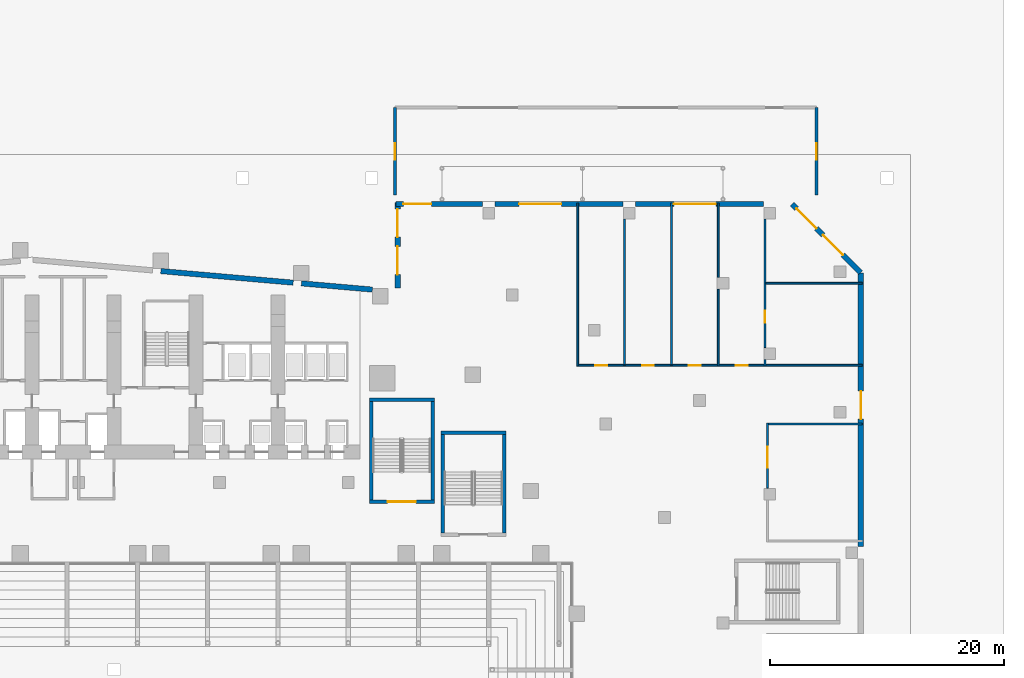
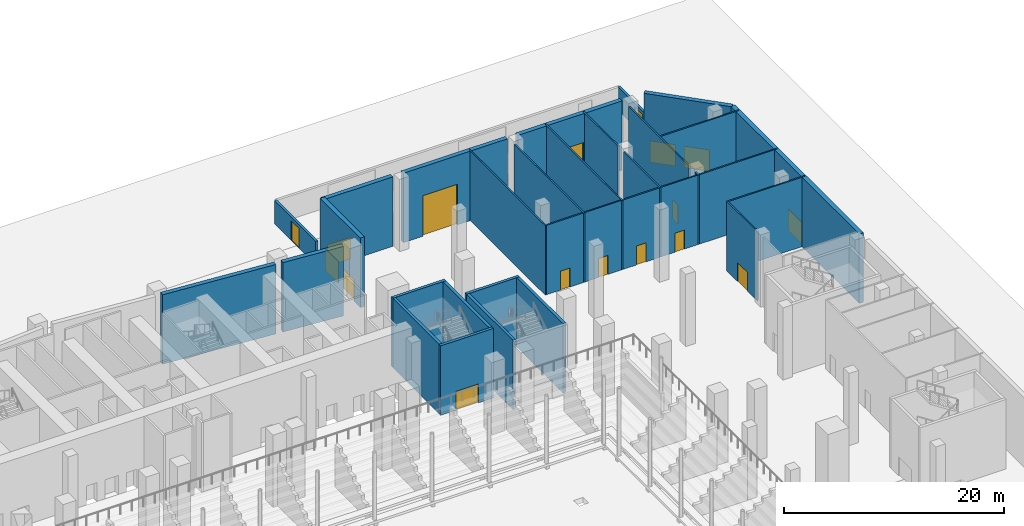
# One storey, part 27 of 41: 32 walls, 17 doors, 17 openings.
"""IFC4 building model written with IfcOpenShell, lengths in metres."""

import ifcopenshell
import ifcopenshell.guid

model = None  # the IFC model being written
_history = None  # IfcOwnerHistory: only IFC2X3 demands one
_inside = {}  # id of a spatial element -> (the spatial element, [elements in it])
_under = {}  # id of a project, library or spatial element -> (it, [spatial elements below it])
_declared = {}  # id of a project -> (the project, [libraries it declares])
_typed = {}  # id of a type object -> (the type object, [elements of that type])
_made_of = {}  # id of a material, layer set ... -> (it, [elements and type objects made of it])


def new_model(schema):
    """Start an empty IFC model of exactly this schema.

    Asked for "IFC4X3", IfcOpenShell would pick the latest addendum, in which some entities
    have other attributes; the version numbers below select the first issue.
    IFC2X3 requires an IfcOwnerHistory on every rooted entity: one is made here for all.
    """
    global model, _history
    if schema == "IFC4X3":
        model = ifcopenshell.file(schema_version=(4, 3, 0, 0))
    else:
        model = ifcopenshell.file(schema=schema)
    _inside.clear()
    _under.clear()
    _declared.clear()
    _typed.clear()
    _made_of.clear()
    _history = None
    if model.schema == "IFC2X3":
        org = make("IfcOrganization", Name="unknown")
        user = make(
            "IfcPersonAndOrganization",
            ThePerson=make("IfcPerson", FamilyName="unknown"),
            TheOrganization=org,
        )
        app = make(
            "IfcApplication",
            ApplicationDeveloper=org,
            Version="unknown",
            ApplicationFullName="unknown",
            ApplicationIdentifier="unknown",
        )
        _history = make(
            "IfcOwnerHistory",
            OwningUser=user,
            OwningApplication=app,
            ChangeAction="ADDED",
            CreationDate=0,
        )
    return model


def make(cls, **values):
    """One entity of the class cls with the attributes given. An attribute that is None is left unset."""
    return model.create_entity(
        cls, **{name: value for name, value in values.items() if value is not None}
    )


def rooted(cls, **values):
    """An entity with a GlobalId (a new one), such as an element, a storey or a relation."""
    return make(cls, GlobalId=ifcopenshell.guid.new(), OwnerHistory=_history, **values)


def si_unit(unit_type, name, prefix=None):
    """IfcSIUnit, for example si_unit("LENGTHUNIT", "METRE", prefix="MILLI")."""
    return make("IfcSIUnit", UnitType=unit_type, Prefix=prefix, Name=name)


def assignment(units):
    """IfcUnitAssignment: the units of a project."""
    return None if units is None else make("IfcUnitAssignment", Units=units)


def point(xyz):
    """IfcCartesianPoint."""
    return None if xyz is None else make("IfcCartesianPoint", Coordinates=xyz)


def direction(xyz):
    """IfcDirection."""
    return None if xyz is None else make("IfcDirection", DirectionRatios=xyz)


def frame(location, z_axis=None, x_axis=None):
    """IfcAxis2Placement3D, a coordinate frame: its origin and axes. An axis left out is left unset."""
    return make(
        "IfcAxis2Placement3D",
        Location=point(location),
        Axis=direction(z_axis),
        RefDirection=direction(x_axis),
    )


def frame_2d(location, x_axis=None):
    """IfcAxis2Placement2D, a coordinate frame in the plane: its origin and x axis."""
    return make(
        "IfcAxis2Placement2D", Location=point(location), RefDirection=direction(x_axis)
    )


def origin():
    """The frame at (0, 0, 0) with its axes left unset."""
    return frame((0.0, 0.0, 0.0))


def place(relative_to, where):
    """IfcLocalPlacement: puts the frame where relative to a parent placement (None: the world)."""
    return make(
        "IfcLocalPlacement", PlacementRelTo=relative_to, RelativePlacement=where
    )


def context(
    kind, dimensions, precision=None, world=None, true_north=None, identifier=None
):
    """IfcGeometricRepresentationContext, for example the 3D "Model" context."""
    return make(
        "IfcGeometricRepresentationContext",
        ContextIdentifier=identifier,
        ContextType=kind,
        CoordinateSpaceDimension=dimensions,
        Precision=precision,
        WorldCoordinateSystem=world,
        TrueNorth=true_north,
    )


def subcontext(parent, identifier, kind, view, scale=None):
    """IfcGeometricRepresentationSubContext, for example "Body" below "Model"."""
    return make(
        "IfcGeometricRepresentationSubContext",
        ContextIdentifier=identifier,
        ContextType=kind,
        ParentContext=parent,
        TargetScale=scale,
        TargetView=view,
    )


def project(units=None, contexts=None):
    """IfcProject with its units and contexts."""
    return rooted(
        "IfcProject",
        Name="project",
        RepresentationContexts=contexts,
        UnitsInContext=assignment(units),
    )


def spatial(cls, under=None, at=None, **own):
    """A site, building, storey or space (cls), placed at a placement, below another one or the project."""
    s = rooted(cls, ObjectPlacement=at, **own)
    if under is not None:
        _under.setdefault(under.id(), (under, []))[1].append(s)
    return s


def profile(cls, at=None, kind="AREA", **sizes):
    """A parametric profile (cls). Its sizes go by their IFC names, for example OverallWidth=200.0."""
    return make(cls, ProfileType=kind, Position=at, **sizes)


def rectangle(**sizes):
    """IfcRectangleProfileDef."""
    return profile("IfcRectangleProfileDef", **sizes)


def extrude(swept, where, along, depth):
    """IfcExtrudedAreaSolid: the profile swept, set in the frame where, extruded along a direction by depth."""
    return make(
        "IfcExtrudedAreaSolid",
        SweptArea=swept,
        Position=where,
        ExtrudedDirection=direction(along),
        Depth=depth,
    )


def shape(context_of_items, identifier, shape_type, items):
    """IfcShapeRepresentation: the items that make up one representation, for example the "Body"."""
    return make(
        "IfcShapeRepresentation",
        ContextOfItems=context_of_items,
        RepresentationIdentifier=identifier,
        RepresentationType=shape_type,
        Items=items,
    )


def material(Name=None, Category=None):
    """IfcMaterial."""
    return make("IfcMaterial", Name=Name, Category=Category)


def layer(
    of_material, thickness, ventilated=None, Name=None, Category=None, Priority=None
):
    """IfcMaterialLayer: one layer of a wall or slab, of a material (None: an air gap)."""
    return make(
        "IfcMaterialLayer",
        Material=of_material,
        LayerThickness=thickness,
        IsVentilated=ventilated,
        Name=Name,
        Category=Category,
        Priority=Priority,
    )


def layer_set(layers, Name=None):
    """IfcMaterialLayerSet."""
    return make("IfcMaterialLayerSet", MaterialLayers=layers, LayerSetName=Name)


def made_of(thing, what):
    """Note that an element or type object is made of a material, layer set ...; save() writes the relation."""
    if what is not None:
        _made_of.setdefault(what.id(), (what, []))[1].append(thing)
    return thing


def type_object(cls, material=None, **own):
    """A type object (cls), such as IfcWallType, which elements share."""
    return made_of(rooted(cls, **own), material)


def element(
    cls,
    number,
    at=None,
    inside=None,
    cuts=None,
    type_object=None,
    material=None,
    context=None,
    identifier="Body",
    shape_type=None,
    held_by="IfcProductDefinitionShape",
    body=None,
    shapes=None,
    **own,
):
    """One element of the class cls, such as IfcWall. Its Tag is "e" and its number.

    at: its placement. inside: the storey or other place that contains it. cuts: it is an
    opening in that element (IfcRelVoidsElement). A single representation is given by context,
    identifier, shape_type and body (its items); several are given by shapes. held_by: the class
    of the entity that holds the representations. save() writes the other relations.
    """
    e = rooted(cls, Tag="e%d" % number, ObjectPlacement=at, **own)
    if body is not None:
        shapes = [shape(context, identifier, shape_type, body)]
    if shapes is not None:
        e.Representation = make(held_by, Representations=shapes)
    if inside is not None:
        _inside.setdefault(inside.id(), (inside, []))[1].append(e)
    if cuts is not None:
        rooted(
            "IfcRelVoidsElement", RelatingBuildingElement=cuts, RelatedOpeningElement=e
        )
    if type_object is not None:
        _typed.setdefault(type_object.id(), (type_object, []))[1].append(e)
    return made_of(e, material)


def fill(opening, filler):
    """IfcRelFillsElement: the door or window that sits in an opening."""
    return rooted(
        "IfcRelFillsElement",
        RelatingOpeningElement=opening,
        RelatedBuildingElement=filler,
    )


def aggregate(whole, parts):
    """IfcRelAggregates: a whole, such as a stair, and the parts it consists of."""
    return rooted("IfcRelAggregates", RelatingObject=whole, RelatedObjects=parts)


def save(model, path):
    """Write the relations noted so far, then the file.

    IfcRelAggregates (storeys below a building ...), IfcRelContainedInSpatialStructure (elements
    in a storey), IfcRelDefinesByType, IfcRelAssociatesMaterial and IfcRelDeclares: one each for
    every whole, place, type object, material and project.
    """
    for whole, parts in _under.values():
        aggregate(whole, parts)
    for where, things in _inside.values():
        rooted(
            "IfcRelContainedInSpatialStructure",
            RelatedElements=things,
            RelatingStructure=where,
        )
    for kind, things in _typed.values():
        rooted("IfcRelDefinesByType", RelatedObjects=things, RelatingType=kind)
    for what, things in _made_of.values():
        rooted("IfcRelAssociatesMaterial", RelatedObjects=things, RelatingMaterial=what)
    for by, libraries in _declared.values():
        rooted("IfcRelDeclares", RelatingContext=by, RelatedDefinitions=libraries)
    model.write(path)


model = new_model("IFC4")

# Units and contexts
model_context = context("Model", 3, precision=1e-05, world=origin(), true_north=direction((0.0, 1.0)))
body_context = subcontext(model_context, "Body", "Model", "MODEL_VIEW")
ifc_project = project(units=[si_unit("LENGTHUNIT", "METRE"), si_unit("AREAUNIT", "SQUARE_METRE"), si_unit("VOLUMEUNIT", "CUBIC_METRE"), si_unit("PLANEANGLEUNIT", "RADIAN"), si_unit("MASSUNIT", "GRAM", prefix="KILO")], contexts=[model_context])

# Site, building, storey
site_placement = place(None, origin())
site = spatial("IfcSite", under=ifc_project, at=site_placement, CompositionType="ELEMENT")
building_placement = place(site_placement, origin())
building = spatial("IfcBuilding", under=site, at=building_placement, Name="Wharfspan Tower", CompositionType="ELEMENT")
storey_placement = place(building_placement, origin())
storey = spatial("IfcBuildingStorey", under=building, at=storey_placement, Name="L00", CompositionType="ELEMENT", Elevation=0.0)

# Wall, opening, door
ifc_material_1 = material(Name="Calcium silicate masonry", Category="masonry")
ifc_layer_1 = layer(ifc_material_1, 0.149902)
ifc_layer_set_1 = layer_set([ifc_layer_1], Name="Calcium silicate masonry")
wall_type_1 = type_object("IfcWallType", Name="Podium room wall 150", PredefinedType="PARTITIONING", material=ifc_layer_set_1)
wall_1_placement = place(storey_placement, frame((99.800049, 31.51001, 0.0), z_axis=(0.0, 0.0, 1.0), x_axis=(0.0, 1.0, 0.0)))
wall_1 = element("IfcWall", 1, at=wall_1_placement, inside=storey, type_object=wall_type_1, Name="iw:L00:13", PredefinedType="PARTITIONING", context=body_context, shape_type="SweptSolid", body=[
    extrude(rectangle(XDim=5.564941, YDim=0.149902, at=frame_2d((2.782471, 0.0))), origin(), (0.0, 0.0, 1.0), 7.699951),
])
opening_1_placement = place(wall_1_placement, frame((1.745117, 0.0, 0.0)))
opening_1 = element("IfcOpeningElement", 2, at=opening_1_placement, cuts=wall_1, Name="Opening PD00.12", PredefinedType="OPENING", context=body_context, shape_type="SweptSolid", body=[
    extrude(rectangle(XDim=1.800049, YDim=2.100098, at=frame_2d((0.899902, 1.050049))), frame((0.0, 0.084961, 0.0), z_axis=(0.0, -1.0, 0.0), x_axis=(1.0, 0.0, 0.0)), (0.0, 0.0, 1.0), 0.169922),
])
ifc_material_2 = material(Name="Steel door leaf", Category="steel")
door_type_1 = type_object("IfcDoorType", Name="Podium double door 1800x2100", OperationType="DOUBLE_DOOR_SINGLE_SWING", PredefinedType="DOOR", material=ifc_material_2)
door_1_placement = place(opening_1_placement, origin())
door_1 = element("IfcDoor", 3, at=door_1_placement, inside=storey, type_object=door_type_1, Name="id:L00:12", OperationType="DOUBLE_DOOR_SINGLE_SWING", OverallHeight=2.100098, OverallWidth=1.800049, PredefinedType="DOOR", context=body_context, shape_type="SweptSolid", body=[
    extrude(rectangle(XDim=1.800049, YDim=2.100098, at=frame_2d((0.899902, 1.050049))), frame((0.0, 0.024902, 0.0), z_axis=(0.0, -1.0, 0.0), x_axis=(1.0, 0.0, 0.0)), (0.0, 0.0, 1.0), 0.050049),
])
fill(opening_1, door_1)

# Wall
wall_2_placement = place(storey_placement, frame((99.875, 37.0, 0.0), z_axis=(0.0, 0.0, 1.0), x_axis=(1.0, 0.0, 0.0)))
element("IfcWall", 4, at=wall_2_placement, inside=storey, type_object=wall_type_1, Name="iw:L00:22", PredefinedType="PARTITIONING", context=body_context, shape_type="SweptSolid", body=[
    extrude(rectangle(XDim=8.02002, YDim=0.149902, at=frame_2d((4.01001, 0.0))), origin(), (0.0, 0.0, 1.0), 7.699951),
])

# Wall, opening, door
wall_3_placement = place(storey_placement, frame((83.675049, 42.0, 0.0), z_axis=(0.0, 0.0, 1.0), x_axis=(1.0, 0.0, 0.0)))
wall_3 = element("IfcWall", 5, at=wall_3_placement, inside=storey, type_object=wall_type_1, Name="iw:L00:23", PredefinedType="PARTITIONING", context=body_context, shape_type="SweptSolid", body=[
    extrude(rectangle(XDim=3.849854, YDim=0.149902, at=frame_2d((1.924805, 0.0))), origin(), (0.0, 0.0, 1.0), 7.699951),
])
opening_2_placement = place(wall_3_placement, frame((1.425049, 0.0, 0.0)))
opening_2 = element("IfcOpeningElement", 6, at=opening_2_placement, cuts=wall_3, Name="Opening PD00.16", PredefinedType="OPENING", context=body_context, shape_type="SweptSolid", body=[
    extrude(rectangle(XDim=1.0, YDim=2.100098, at=frame_2d((0.5, 1.050049))), frame((0.0, 0.084961, 0.0), z_axis=(0.0, -1.0, 0.0), x_axis=(1.0, 0.0, 0.0)), (0.0, 0.0, 1.0), 0.169922),
])
door_type_2 = type_object("IfcDoorType", Name="Podium room door 1000x2100", OperationType="SINGLE_SWING_LEFT", PredefinedType="DOOR", material=ifc_material_2)
door_2_placement = place(opening_2_placement, origin())
door_2 = element("IfcDoor", 7, at=door_2_placement, inside=storey, type_object=door_type_2, Name="id:L00:16", OperationType="SINGLE_SWING_LEFT", OverallHeight=2.100098, OverallWidth=1.0, PredefinedType="DOOR", context=body_context, shape_type="SweptSolid", body=[
    extrude(rectangle(XDim=1.0, YDim=2.100098, at=frame_2d((0.5, 1.050049))), frame((0.0, 0.024902, 0.0), z_axis=(0.0, -1.0, 0.0), x_axis=(1.0, 0.0, 0.0)), (0.0, 0.0, 1.0), 0.050049),
])
fill(opening_2, door_2)

wall_4_placement = place(storey_placement, frame((87.675049, 42.0, 0.0), z_axis=(0.0, 0.0, 1.0), x_axis=(1.0, 0.0, 0.0)))
wall_4 = element("IfcWall", 8, at=wall_4_placement, inside=storey, type_object=wall_type_1, Name="iw:L00:24", PredefinedType="PARTITIONING", context=body_context, shape_type="SweptSolid", body=[
    extrude(rectangle(XDim=3.849854, YDim=0.149902, at=frame_2d((1.924805, 0.0))), origin(), (0.0, 0.0, 1.0), 7.699951),
])
opening_3_placement = place(wall_4_placement, frame((1.425049, 0.0, 0.0)))
opening_3 = element("IfcOpeningElement", 9, at=opening_3_placement, cuts=wall_4, Name="Opening PD00.17", PredefinedType="OPENING", context=body_context, shape_type="SweptSolid", body=[
    extrude(rectangle(XDim=1.0, YDim=2.100098, at=frame_2d((0.5, 1.050049))), frame((0.0, 0.084961, 0.0), z_axis=(0.0, -1.0, 0.0), x_axis=(1.0, 0.0, 0.0)), (0.0, 0.0, 1.0), 0.169922),
])
door_3_placement = place(opening_3_placement, origin())
door_3 = element("IfcDoor", 10, at=door_3_placement, inside=storey, type_object=door_type_2, Name="id:L00:17", OperationType="SINGLE_SWING_RIGHT", OverallHeight=2.100098, OverallWidth=1.0, PredefinedType="DOOR", context=body_context, shape_type="SweptSolid", body=[
    extrude(rectangle(XDim=1.0, YDim=2.100098, at=frame_2d((0.5, 1.050049))), frame((0.0, 0.024902, 0.0), z_axis=(0.0, -1.0, 0.0), x_axis=(1.0, 0.0, 0.0)), (0.0, 0.0, 1.0), 0.050049),
])
fill(opening_3, door_3)

wall_5_placement = place(storey_placement, frame((91.675049, 42.0, 0.0), z_axis=(0.0, 0.0, 1.0), x_axis=(1.0, 0.0, 0.0)))
wall_5 = element("IfcWall", 11, at=wall_5_placement, inside=storey, type_object=wall_type_1, Name="iw:L00:25", PredefinedType="PARTITIONING", context=body_context, shape_type="SweptSolid", body=[
    extrude(rectangle(XDim=3.849854, YDim=0.149902, at=frame_2d((1.924805, 0.0))), origin(), (0.0, 0.0, 1.0), 7.699951),
])
opening_4_placement = place(wall_5_placement, frame((1.425049, 0.0, 0.0)))
opening_4 = element("IfcOpeningElement", 12, at=opening_4_placement, cuts=wall_5, Name="Opening PD00.18", PredefinedType="OPENING", context=body_context, shape_type="SweptSolid", body=[
    extrude(rectangle(XDim=1.0, YDim=2.100098, at=frame_2d((0.5, 1.050049))), frame((0.0, 0.084961, 0.0), z_axis=(0.0, -1.0, 0.0), x_axis=(1.0, 0.0, 0.0)), (0.0, 0.0, 1.0), 0.169922),
])
door_4_placement = place(opening_4_placement, origin())
door_4 = element("IfcDoor", 13, at=door_4_placement, inside=storey, type_object=door_type_2, Name="id:L00:18", OperationType="SINGLE_SWING_LEFT", OverallHeight=2.100098, OverallWidth=1.0, PredefinedType="DOOR", context=body_context, shape_type="SweptSolid", body=[
    extrude(rectangle(XDim=1.0, YDim=2.100098, at=frame_2d((0.5, 1.050049))), frame((0.0, 0.024902, 0.0), z_axis=(0.0, -1.0, 0.0), x_axis=(1.0, 0.0, 0.0)), (0.0, 0.0, 1.0), 0.050049),
])
fill(opening_4, door_4)

wall_6_placement = place(storey_placement, frame((95.675049, 42.0, 0.0), z_axis=(0.0, 0.0, 1.0), x_axis=(1.0, 0.0, 0.0)))
wall_6 = element("IfcWall", 14, at=wall_6_placement, inside=storey, type_object=wall_type_1, Name="iw:L00:26", PredefinedType="PARTITIONING", context=body_context, shape_type="SweptSolid", body=[
    extrude(rectangle(XDim=3.849854, YDim=0.149902, at=frame_2d((1.924805, 0.0))), origin(), (0.0, 0.0, 1.0), 7.699951),
])
opening_5_placement = place(wall_6_placement, frame((1.425049, 0.0, 0.0)))
opening_5 = element("IfcOpeningElement", 15, at=opening_5_placement, cuts=wall_6, Name="Opening PD00.19", PredefinedType="OPENING", context=body_context, shape_type="SweptSolid", body=[
    extrude(rectangle(XDim=1.0, YDim=2.100098, at=frame_2d((0.5, 1.050049))), frame((0.0, 0.084961, 0.0), z_axis=(0.0, -1.0, 0.0), x_axis=(1.0, 0.0, 0.0)), (0.0, 0.0, 1.0), 0.169922),
])
door_5_placement = place(opening_5_placement, origin())
door_5 = element("IfcDoor", 16, at=door_5_placement, inside=storey, type_object=door_type_2, Name="id:L00:19", OperationType="SINGLE_SWING_RIGHT", OverallHeight=2.100098, OverallWidth=1.0, PredefinedType="DOOR", context=body_context, shape_type="SweptSolid", body=[
    extrude(rectangle(XDim=1.0, YDim=2.100098, at=frame_2d((0.5, 1.050049))), frame((0.0, 0.024902, 0.0), z_axis=(0.0, -1.0, 0.0), x_axis=(1.0, 0.0, 0.0)), (0.0, 0.0, 1.0), 0.050049),
])
fill(opening_5, door_5)

# Walls
for number, where, z_axis, x_axis, name in (
    (17, (99.675049, 42.0, 0.0), (0.0, 0.0, 1.0), (1.0, 0.0, 0.0), "iw:L00:27"),
    (18, (99.675049, 49.0, 0.0), (0.0, 0.0, 1.0), (1.0, 0.0, 0.0), "iw:L00:28"),
):
    element("IfcWall", number, at=place(storey_placement, frame(where, z_axis=z_axis, x_axis=x_axis)), inside=storey, type_object=wall_type_1, Name=name, PredefinedType="PARTITIONING", context=body_context, shape_type="SweptSolid", body=[
        extrude(rectangle(XDim=8.219971, YDim=0.149902, at=frame_2d((4.109863, 0.0))), origin(), (0.0, 0.0, 1.0), 7.699951),
    ])
wall_7_placement = place(storey_placement, frame((99.600098, 41.925049, 0.0), z_axis=(0.0, 0.0, 1.0), x_axis=(0.0, 1.0, 0.0)))
element("IfcWall", 19, at=wall_7_placement, inside=storey, type_object=wall_type_1, Name="iw:L00:29", PredefinedType="PARTITIONING", context=body_context, shape_type="SweptSolid", body=[
    extrude(rectangle(XDim=0.564941, YDim=0.149902, at=frame_2d((0.282471, 0.0))), origin(), (0.0, 0.0, 1.0), 7.699951),
])

# Wall, opening, door
wall_8_placement = place(storey_placement, frame((99.600098, 43.51001, 0.0), z_axis=(0.0, 0.0, 1.0), x_axis=(0.0, 1.0, 0.0)))
wall_8 = element("IfcWall", 20, at=wall_8_placement, inside=storey, type_object=wall_type_1, Name="iw:L00:30", PredefinedType="PARTITIONING", context=body_context, shape_type="SweptSolid", body=[
    extrude(rectangle(XDim=10.97998, YDim=0.149902, at=frame_2d((5.48999, 0.0))), origin(), (0.0, 0.0, 1.0), 7.699951),
])
opening_6_placement = place(wall_8_placement, frame((2.14502, 0.0, 0.0)))
opening_6 = element("IfcOpeningElement", 21, at=opening_6_placement, cuts=wall_8, Name="Opening PD00.13", PredefinedType="OPENING", context=body_context, shape_type="SweptSolid", body=[
    extrude(rectangle(XDim=1.0, YDim=2.100098, at=frame_2d((0.5, 1.050049))), frame((0.0, 0.084961, 0.0), z_axis=(0.0, -1.0, 0.0), x_axis=(1.0, 0.0, 0.0)), (0.0, 0.0, 1.0), 0.169922),
])
door_6_placement = place(opening_6_placement, origin())
door_6 = element("IfcDoor", 22, at=door_6_placement, inside=storey, type_object=door_type_2, Name="id:L00:13", OperationType="SINGLE_SWING_RIGHT", OverallHeight=2.100098, OverallWidth=1.0, PredefinedType="DOOR", context=body_context, shape_type="SweptSolid", body=[
    extrude(rectangle(XDim=1.0, YDim=2.100098, at=frame_2d((0.5, 1.050049))), frame((0.0, 0.024902, 0.0), z_axis=(0.0, -1.0, 0.0), x_axis=(1.0, 0.0, 0.0)), (0.0, 0.0, 1.0), 0.050049),
])
fill(opening_6, door_6)

# Walls
wall_9_placement = place(storey_placement, frame((87.600098, 41.925049, 0.0), z_axis=(0.0, 0.0, 1.0), x_axis=(0.0, 1.0, 0.0)))
element("IfcWall", 23, at=wall_9_placement, inside=storey, type_object=wall_type_1, Name="iw:L00:40", PredefinedType="PARTITIONING", context=body_context, shape_type="SweptSolid", body=[
    extrude(rectangle(XDim=12.564941, YDim=0.149902, at=frame_2d((6.282471, 0.0))), origin(), (0.0, 0.0, 1.0), 7.699951),
])
for number, where, z_axis, x_axis, name in (
    (24, (83.600098, 41.925049, 0.0), (0.0, 0.0, 1.0), (0.0, 1.0, 0.0), "iw:L00:41"),
    (25, (91.600098, 41.925049, 0.0), (0.0, 0.0, 1.0), (0.0, 1.0, 0.0), "iw:L00:42"),
):
    element("IfcWall", number, at=place(storey_placement, frame(where, z_axis=z_axis, x_axis=x_axis)), inside=storey, type_object=wall_type_1, Name=name, PredefinedType="PARTITIONING", context=body_context, shape_type="SweptSolid", body=[
        extrude(rectangle(XDim=13.925049, YDim=0.149902, at=frame_2d((6.962402, 0.0))), origin(), (0.0, 0.0, 1.0), 7.699951),
    ])
wall_10_placement = place(storey_placement, frame((95.600098, 41.925049, 0.0), z_axis=(0.0, 0.0, 1.0), x_axis=(0.0, 1.0, 0.0)))
element("IfcWall", 26, at=wall_10_placement, inside=storey, type_object=wall_type_1, Name="iw:L00:43", PredefinedType="PARTITIONING", context=body_context, shape_type="SweptSolid", body=[
    extrude(rectangle(XDim=6.564941, YDim=0.149902, at=frame_2d((3.282471, 0.0))), origin(), (0.0, 0.0, 1.0), 7.699951),
])
wall_11_placement = place(storey_placement, frame((95.600098, 49.51001, 0.0), z_axis=(0.0, 0.0, 1.0), x_axis=(0.0, 1.0, 0.0)))
element("IfcWall", 27, at=wall_11_placement, inside=storey, type_object=wall_type_1, Name="iw:L00:44", PredefinedType="PARTITIONING", context=body_context, shape_type="SweptSolid", body=[
    extrude(rectangle(XDim=6.340088, YDim=0.149902, at=frame_2d((3.169922, 0.0))), origin(), (0.0, 0.0, 1.0), 7.699951),
])

# Wall, opening, door
ifc_material_3 = material(Name="Concrete C40/50", Category="concrete")
ifc_layer_2 = layer(ifc_material_3, 0.300049)
ifc_layer_set_2 = layer_set([ifc_layer_2], Name="Concrete C40/50")
wall_type_2 = type_object("IfcWallType", Name="Podium stair core wall 300", PredefinedType="SHEAR", material=ifc_layer_set_2)
wall_12_placement = place(storey_placement, frame((65.800049, 30.350098, 0.0), z_axis=(0.0, 0.0, 1.0), x_axis=(1.0, 0.0, 0.0)))
wall_12 = element("IfcWall", 28, at=wall_12_placement, inside=storey, type_object=wall_type_2, Name="iw:L00:PS4S", PredefinedType="SHEAR", context=body_context, shape_type="SweptSolid", body=[
    extrude(rectangle(XDim=5.550049, YDim=0.300049, at=frame_2d((2.774902, 0.0))), origin(), (0.0, 0.0, 1.0), 7.699951),
])
opening_7_placement = place(wall_12_placement, frame((1.574951, 0.0, 0.0)))
opening_7 = element("IfcOpeningElement", 29, at=opening_7_placement, cuts=wall_12, Name="Opening SDPS4.L00", PredefinedType="OPENING", context=body_context, shape_type="SweptSolid", body=[
    extrude(rectangle(XDim=2.399902, YDim=2.100098, at=frame_2d((1.199951, 1.050049))), frame((0.0, 0.159912, 0.0), z_axis=(0.0, -1.0, 0.0), x_axis=(1.0, 0.0, 0.0)), (0.0, 0.0, 1.0), 0.320068),
])
door_type_3 = type_object("IfcDoorType", Name="Podium stair door 2400x2100", OperationType="DOUBLE_DOOR_SINGLE_SWING", PredefinedType="DOOR", material=ifc_material_2)
door_7_placement = place(opening_7_placement, origin())
door_7 = element("IfcDoor", 30, at=door_7_placement, inside=storey, type_object=door_type_3, Name="id:L00:PS4", OperationType="DOUBLE_DOOR_SINGLE_SWING", OverallHeight=2.100098, OverallWidth=2.399902, PredefinedType="DOOR", context=body_context, shape_type="SweptSolid", body=[
    extrude(rectangle(XDim=2.399902, YDim=2.100098, at=frame_2d((1.199951, 1.050049))), frame((0.0, 0.024902, 0.0), z_axis=(0.0, -1.0, 0.0), x_axis=(1.0, 0.0, 0.0)), (0.0, 0.0, 1.0), 0.050049),
])
fill(opening_7, door_7)

# Walls
wall_13_placement = place(storey_placement, frame((65.800049, 39.050049, 0.0), z_axis=(0.0, 0.0, 1.0), x_axis=(1.0, 0.0, 0.0)))
element("IfcWall", 31, at=wall_13_placement, inside=storey, type_object=wall_type_2, Name="iw:L00:PS4N", PredefinedType="SHEAR", context=body_context, shape_type="SweptSolid", body=[
    extrude(rectangle(XDim=5.550049, YDim=0.300049, at=frame_2d((2.774902, 0.0))), origin(), (0.0, 0.0, 1.0), 7.699951),
])
for number, where, z_axis, x_axis, name in (
    (32, (65.949951, 30.5, 0.0), (0.0, 0.0, 1.0), (0.0, 1.0, 0.0), "iw:L00:PS4W"),
    (33, (71.199951, 30.5, 0.0), (0.0, 0.0, 1.0), (0.0, 1.0, 0.0), "iw:L00:PS4E"),
):
    element("IfcWall", number, at=place(storey_placement, frame(where, z_axis=z_axis, x_axis=x_axis)), inside=storey, type_object=wall_type_2, Name=name, PredefinedType="SHEAR", context=body_context, shape_type="SweptSolid", body=[
        extrude(rectangle(XDim=8.399902, YDim=0.300049, at=frame_2d((4.199951, 0.0))), origin(), (0.0, 0.0, 1.0), 7.699951),
    ])
wall_14_placement = place(storey_placement, frame((71.91748, 36.25, 0.0), z_axis=(0.0, 0.0, 1.0), x_axis=(1.0, 0.0, 0.0)))
element("IfcWall", 34, at=wall_14_placement, inside=storey, type_object=wall_type_2, Name="iw:L00:PS5N", PredefinedType="SHEAR", context=body_context, shape_type="SweptSolid", body=[
    extrude(rectangle(XDim=5.550049, YDim=0.300049, at=frame_2d((2.774902, 0.0))), origin(), (0.0, 0.0, 1.0), 7.699951),
])
for number, where, z_axis, x_axis, name in (
    (35, (72.067383, 27.699951, 0.0), (0.0, 0.0, 1.0), (0.0, 1.0, 0.0), "iw:L00:PS5W"),
    (36, (77.317383, 27.699951, 0.0), (0.0, 0.0, 1.0), (0.0, 1.0, 0.0), "iw:L00:PS5E"),
):
    element("IfcWall", number, at=place(storey_placement, frame(where, z_axis=z_axis, x_axis=x_axis)), inside=storey, type_object=wall_type_2, Name=name, PredefinedType="SHEAR", context=body_context, shape_type="SweptSolid", body=[
        extrude(rectangle(XDim=8.400146, YDim=0.300049, at=frame_2d((4.200195, 0.0))), origin(), (0.0, 0.0, 1.0), 7.699951),
    ])

# Wall, opening, door
ifc_layer_3 = layer(ifc_material_3, 0.25)
ifc_layer_set_3 = layer_set([ifc_layer_3], Name="Concrete C40/50")
wall_type_3 = type_object("IfcWallType", Name="SCREEN WALL CONCRETE 250", PredefinedType="SOLIDWALL", material=ifc_layer_set_3)
wall_15_placement = place(storey_placement, frame((104.0, 64.0, 0.0), z_axis=(0.0, 0.0, 1.0), x_axis=(0.0, -1.0, 0.0)))
wall_15 = element("IfcWall", 37, at=wall_15_placement, inside=storey, type_object=wall_type_3, Name="Loading court screen wall", PredefinedType="SOLIDWALL", context=body_context, shape_type="SweptSolid", body=[
    extrude(rectangle(XDim=7.475098, YDim=0.25, at=frame_2d((3.737549, 0.0))), origin(), (0.0, 0.0, 1.0), 2.600098),
])
opening_8_placement = place(wall_15_placement, frame((3.037598, 0.0, 0.0)))
opening_8 = element("IfcOpeningElement", 38, at=opening_8_placement, cuts=wall_15, Name="Opening GT2", PredefinedType="OPENING", context=body_context, shape_type="SweptSolid", body=[
    extrude(rectangle(XDim=1.399902, YDim=2.199951, at=frame_2d((0.699951, 1.100098))), frame((0.0, 0.13501, 0.0), z_axis=(0.0, -1.0, 0.0), x_axis=(1.0, 0.0, 0.0)), (0.0, 0.0, 1.0), 0.27002),
])
ifc_material_4 = material(Name="Steel S355J2", Category="steel")
door_type_4 = type_object("IfcDoorType", Name="SERVICE GATE 1400x2200", OperationType="SINGLE_SWING_LEFT", PredefinedType="GATE", material=ifc_material_4)
door_8_placement = place(opening_8_placement, origin())
door_8 = element("IfcDoor", 39, at=door_8_placement, inside=storey, type_object=door_type_4, Name="Service gate", OperationType="SINGLE_SWING_LEFT", OverallHeight=2.199951, OverallWidth=1.399902, PredefinedType="GATE", context=body_context, shape_type="SweptSolid", body=[
    extrude(rectangle(XDim=1.399902, YDim=2.199951, at=frame_2d((0.699951, 1.100098))), frame((0.0, 0.024902, 0.0), z_axis=(0.0, -1.0, 0.0), x_axis=(1.0, 0.0, 0.0)), (0.0, 0.0, 1.0), 0.050049),
])
fill(opening_8, door_8)

wall_16_placement = place(storey_placement, frame((68.0, 56.524902, 0.0), z_axis=(0.0, 0.0, 1.0), x_axis=(0.0, 1.0, 0.0)))
wall_16 = element("IfcWall", 40, at=wall_16_placement, inside=storey, type_object=wall_type_3, Name="Loading court screen wall", PredefinedType="SOLIDWALL", context=body_context, shape_type="SweptSolid", body=[
    extrude(rectangle(XDim=7.475098, YDim=0.25, at=frame_2d((3.737549, 0.0))), origin(), (0.0, 0.0, 1.0), 2.600098),
])
opening_9_placement = place(wall_16_placement, frame((3.037598, 0.0, 0.0)))
opening_9 = element("IfcOpeningElement", 41, at=opening_9_placement, cuts=wall_16, Name="Opening GT2", PredefinedType="OPENING", context=body_context, shape_type="SweptSolid", body=[
    extrude(rectangle(XDim=1.399902, YDim=2.199951, at=frame_2d((0.699951, 1.100098))), frame((0.0, 0.13501, 0.0), z_axis=(0.0, -1.0, 0.0), x_axis=(1.0, 0.0, 0.0)), (0.0, 0.0, 1.0), 0.27002),
])
door_9_placement = place(opening_9_placement, origin())
door_9 = element("IfcDoor", 42, at=door_9_placement, inside=storey, type_object=door_type_4, Name="Service gate", OperationType="SINGLE_SWING_LEFT", OverallHeight=2.199951, OverallWidth=1.399902, PredefinedType="GATE", context=body_context, shape_type="SweptSolid", body=[
    extrude(rectangle(XDim=1.399902, YDim=2.199951, at=frame_2d((0.699951, 1.100098))), frame((0.0, 0.024902, 0.0), z_axis=(0.0, -1.0, 0.0), x_axis=(1.0, 0.0, 0.0)), (0.0, 0.0, 1.0), 0.050049),
])
fill(opening_9, door_9)

ifc_layer_4 = layer(ifc_material_3, 0.449951)
ifc_layer_set_4 = layer_set([ifc_layer_4], Name="Concrete C40/50")
wall_type_4 = type_object("IfcWallType", Name="WALL BOARD-MARKED CONCRETE 450", PredefinedType="SOLIDWALL", material=ifc_layer_set_4)
wall_17_placement = place(storey_placement, frame((107.774902, 26.550049, 0.0), z_axis=(0.0, 0.0, 1.0), x_axis=(0.0, 1.0, 0.0)))
wall_17 = element("IfcWall", 43, at=wall_17_placement, inside=storey, type_object=wall_type_4, Name="Podium wall PF3", PredefinedType="SOLIDWALL", context=body_context, shape_type="SweptSolid", body=[
    extrude(rectangle(XDim=23.349854, YDim=0.449951, at=frame_2d((11.674805, 0.0))), origin(), (0.0, 0.0, 1.0), 7.699951),
])
opening_10_placement = place(wall_17_placement, frame((10.850098, 0.0, 0.0)))
opening_10 = element("IfcOpeningElement", 44, at=opening_10_placement, cuts=wall_17, Name="Opening ED4", PredefinedType="OPENING", context=body_context, shape_type="SweptSolid", body=[
    extrude(rectangle(XDim=2.399902, YDim=2.399902, at=frame_2d((1.199951, 1.199951))), frame((0.0, 0.234863, 0.0), z_axis=(0.0, -1.0, 0.0), x_axis=(1.0, 0.0, 0.0)), (0.0, 0.0, 1.0), 0.469971),
])
door_type_5 = type_object("IfcDoorType", Name="EXIT DOOR DOUBLE 2400x2400", OperationType="DOUBLE_DOOR_DOUBLE_SWING", PredefinedType="DOOR", material=ifc_material_4)
door_10_placement = place(opening_10_placement, origin())
door_10 = element("IfcDoor", 45, at=door_10_placement, inside=storey, type_object=door_type_5, Name="Exit door", OperationType="DOUBLE_DOOR_DOUBLE_SWING", OverallHeight=2.399902, OverallWidth=2.399902, PredefinedType="DOOR", context=body_context, shape_type="SweptSolid", body=[
    extrude(rectangle(XDim=2.399902, YDim=2.399902, at=frame_2d((1.199951, 1.199951))), frame((0.0, 0.024902, 0.0), z_axis=(0.0, -1.0, 0.0), x_axis=(1.0, 0.0, 0.0)), (0.0, 0.0, 1.0), 0.050049),
])
fill(opening_10, door_10)

# Wall, openings, doors
wall_18_placement = place(storey_placement, frame((107.770264, 49.911621, 0.0), z_axis=(0.0, 0.0, 1.0), x_axis=(-0.707107, 0.707107, 0.0)))
wall_18 = element("IfcWall", 46, at=wall_18_placement, inside=storey, type_object=wall_type_4, Name="Podium wall PF4", PredefinedType="SOLIDWALL", context=body_context, shape_type="SweptSolid", body=[
    extrude(rectangle(XDim=8.2854, YDim=0.449951, at=frame_2d((4.142578, 0.0))), origin(), (0.0, 0.0, 1.0), 7.699951),
])
opening_11_placement = place(wall_18_placement, frame((2.149902, 0.0, 0.0)))
opening_11 = element("IfcOpeningElement", 47, at=opening_11_placement, cuts=wall_18, Name="Opening ED4", PredefinedType="OPENING", context=body_context, shape_type="SweptSolid", body=[
    extrude(rectangle(XDim=2.399902, YDim=2.399902, at=frame_2d((1.199951, 1.199951))), frame((0.0, 0.234863, 0.0), z_axis=(0.0, -1.0, 0.0), x_axis=(1.0, 0.0, 0.0)), (0.0, 0.0, 1.0), 0.469971),
])
opening_12_placement = place(wall_18_placement, frame((5.350098, 0.0, 0.0)))
opening_12 = element("IfcOpeningElement", 48, at=opening_12_placement, cuts=wall_18, Name="Opening ED4", PredefinedType="OPENING", context=body_context, shape_type="SweptSolid", body=[
    extrude(rectangle(XDim=2.399902, YDim=2.399902, at=frame_2d((1.199951, 1.199951))), frame((0.0, 0.234863, 0.0), z_axis=(0.0, -1.0, 0.0), x_axis=(1.0, 0.0, 0.0)), (0.0, 0.0, 1.0), 0.469971),
])
door_11_placement = place(opening_11_placement, origin())
door_11 = element("IfcDoor", 49, at=door_11_placement, inside=storey, type_object=door_type_5, Name="Exit door", OperationType="DOUBLE_DOOR_DOUBLE_SWING", OverallHeight=2.399902, OverallWidth=2.399902, PredefinedType="DOOR", context=body_context, shape_type="SweptSolid", body=[
    extrude(rectangle(XDim=2.399902, YDim=2.399902, at=frame_2d((1.199951, 1.199951))), frame((0.0, 0.024902, 0.0), z_axis=(0.0, -1.0, 0.0), x_axis=(1.0, 0.0, 0.0)), (0.0, 0.0, 1.0), 0.050049),
])
fill(opening_11, door_11)
door_12_placement = place(opening_12_placement, origin())
door_12 = element("IfcDoor", 50, at=door_12_placement, inside=storey, type_object=door_type_5, Name="Exit door", OperationType="DOUBLE_DOOR_DOUBLE_SWING", OverallHeight=2.399902, OverallWidth=2.399902, PredefinedType="DOOR", context=body_context, shape_type="SweptSolid", body=[
    extrude(rectangle(XDim=2.399902, YDim=2.399902, at=frame_2d((1.199951, 1.199951))), frame((0.0, 0.024902, 0.0), z_axis=(0.0, -1.0, 0.0), x_axis=(1.0, 0.0, 0.0)), (0.0, 0.0, 1.0), 0.050049),
])
fill(opening_12, door_12)

# Wall, opening, door
wall_19_placement = place(storey_placement, frame((99.449951, 55.774902, 0.0), z_axis=(0.0, 0.0, 1.0), x_axis=(-1.0, 0.0, 0.0)))
wall_19 = element("IfcWall", 51, at=wall_19_placement, inside=storey, type_object=wall_type_4, Name="Podium wall PF5", PredefinedType="SOLIDWALL", context=body_context, shape_type="SweptSolid", body=[
    extrude(rectangle(XDim=10.899902, YDim=0.449951, at=frame_2d((5.449951, 0.0))), origin(), (0.0, 0.0, 1.0), 7.699951),
])
opening_13_placement = place(wall_19_placement, frame((4.050049, 0.0, 0.0)))
opening_13 = element("IfcOpeningElement", 52, at=opening_13_placement, cuts=wall_19, Name="Opening ED3", PredefinedType="OPENING", context=body_context, shape_type="SweptSolid", body=[
    extrude(rectangle(XDim=3.600098, YDim=4.5, at=frame_2d((1.800049, 2.25))), frame((0.0, 0.234863, 0.0), z_axis=(0.0, -1.0, 0.0), x_axis=(1.0, 0.0, 0.0)), (0.0, 0.0, 1.0), 0.469971),
])
door_type_6 = type_object("IfcDoorType", Name="DOCK DOOR 3600x4500", OperationType="ROLLINGUP", PredefinedType="DOOR", material=ifc_material_4)
door_13_placement = place(opening_13_placement, origin())
door_13 = element("IfcDoor", 53, at=door_13_placement, inside=storey, type_object=door_type_6, Name="Dock door", OperationType="ROLLINGUP", OverallHeight=4.5, OverallWidth=3.600098, PredefinedType="DOOR", context=body_context, shape_type="SweptSolid", body=[
    extrude(rectangle(XDim=3.600098, YDim=4.5, at=frame_2d((1.800049, 2.25))), frame((0.0, 0.024902, 0.0), z_axis=(0.0, -1.0, 0.0), x_axis=(1.0, 0.0, 0.0)), (0.0, 0.0, 1.0), 0.050049),
])
fill(opening_13, door_13)

wall_20_placement = place(storey_placement, frame((87.449951, 55.774902, 0.0), z_axis=(0.0, 0.0, 1.0), x_axis=(-1.0, 0.0, 0.0)))
wall_20 = element("IfcWall", 54, at=wall_20_placement, inside=storey, type_object=wall_type_4, Name="Podium wall PF5", PredefinedType="SOLIDWALL", context=body_context, shape_type="SweptSolid", body=[
    extrude(rectangle(XDim=10.899902, YDim=0.449951, at=frame_2d((5.449951, 0.0))), origin(), (0.0, 0.0, 1.0), 7.699951),
])
opening_14_placement = place(wall_20_placement, frame((5.25, 0.0, 0.0)))
opening_14 = element("IfcOpeningElement", 55, at=opening_14_placement, cuts=wall_20, Name="Opening ED3", PredefinedType="OPENING", context=body_context, shape_type="SweptSolid", body=[
    extrude(rectangle(XDim=3.600098, YDim=4.5, at=frame_2d((1.800049, 2.25))), frame((0.0, 0.234863, 0.0), z_axis=(0.0, -1.0, 0.0), x_axis=(1.0, 0.0, 0.0)), (0.0, 0.0, 1.0), 0.469971),
])
door_14_placement = place(opening_14_placement, origin())
door_14 = element("IfcDoor", 56, at=door_14_placement, inside=storey, type_object=door_type_6, Name="Dock door", OperationType="ROLLINGUP", OverallHeight=4.5, OverallWidth=3.600098, PredefinedType="DOOR", context=body_context, shape_type="SweptSolid", body=[
    extrude(rectangle(XDim=3.600098, YDim=4.5, at=frame_2d((1.800049, 2.25))), frame((0.0, 0.024902, 0.0), z_axis=(0.0, -1.0, 0.0), x_axis=(1.0, 0.0, 0.0)), (0.0, 0.0, 1.0), 0.050049),
])
fill(opening_14, door_14)

wall_21_placement = place(storey_placement, frame((75.449951, 55.774902, 0.0), z_axis=(0.0, 0.0, 1.0), x_axis=(-1.0, 0.0, 0.0)))
wall_21 = element("IfcWall", 57, at=wall_21_placement, inside=storey, type_object=wall_type_4, Name="Podium wall PF5", PredefinedType="SOLIDWALL", context=body_context, shape_type="SweptSolid", body=[
    extrude(rectangle(XDim=7.349854, YDim=0.449951, at=frame_2d((3.674805, 0.0))), origin(), (0.0, 0.0, 1.0), 7.699951),
])
opening_15_placement = place(wall_21_placement, frame((4.350098, 0.0, 0.0)))
opening_15 = element("IfcOpeningElement", 58, at=opening_15_placement, cuts=wall_21, Name="Opening ED4", PredefinedType="OPENING", context=body_context, shape_type="SweptSolid", body=[
    extrude(rectangle(XDim=2.399902, YDim=2.399902, at=frame_2d((1.199951, 1.199951))), frame((0.0, 0.234863, 0.0), z_axis=(0.0, -1.0, 0.0), x_axis=(1.0, 0.0, 0.0)), (0.0, 0.0, 1.0), 0.469971),
])
door_15_placement = place(opening_15_placement, origin())
door_15 = element("IfcDoor", 59, at=door_15_placement, inside=storey, type_object=door_type_5, Name="Exit door", OperationType="DOUBLE_DOOR_DOUBLE_SWING", OverallHeight=2.399902, OverallWidth=2.399902, PredefinedType="DOOR", context=body_context, shape_type="SweptSolid", body=[
    extrude(rectangle(XDim=2.399902, YDim=2.399902, at=frame_2d((1.199951, 1.199951))), frame((0.0, 0.024902, 0.0), z_axis=(0.0, -1.0, 0.0), x_axis=(1.0, 0.0, 0.0)), (0.0, 0.0, 1.0), 0.050049),
])
fill(opening_15, door_15)

# Wall, openings, doors
wall_22_placement = place(storey_placement, frame((68.225098, 55.899902, 0.0), z_axis=(0.0, 0.0, 1.0), x_axis=(0.0, -1.0, 0.0)))
wall_22 = element("IfcWall", 60, at=wall_22_placement, inside=storey, type_object=wall_type_4, Name="Podium wall PF6", PredefinedType="SOLIDWALL", context=body_context, shape_type="SweptSolid", body=[
    extrude(rectangle(XDim=7.274658, YDim=0.449951, at=frame_2d((3.637207, 0.0))), origin(), (0.0, 0.0, 1.0), 7.699951),
])
opening_16_placement = place(wall_22_placement, frame((0.550049, 0.0, 0.0)))
opening_16 = element("IfcOpeningElement", 61, at=opening_16_placement, cuts=wall_22, Name="Opening ED4", PredefinedType="OPENING", context=body_context, shape_type="SweptSolid", body=[
    extrude(rectangle(XDim=2.399902, YDim=2.399902, at=frame_2d((1.199951, 1.199951))), frame((0.0, 0.234863, 0.0), z_axis=(0.0, -1.0, 0.0), x_axis=(1.0, 0.0, 0.0)), (0.0, 0.0, 1.0), 0.469971),
])
opening_17_placement = place(wall_22_placement, frame((3.75, 0.0, 0.0)))
opening_17 = element("IfcOpeningElement", 62, at=opening_17_placement, cuts=wall_22, Name="Opening ED4", PredefinedType="OPENING", context=body_context, shape_type="SweptSolid", body=[
    extrude(rectangle(XDim=2.399902, YDim=2.399902, at=frame_2d((1.199951, 1.199951))), frame((0.0, 0.234863, 0.0), z_axis=(0.0, -1.0, 0.0), x_axis=(1.0, 0.0, 0.0)), (0.0, 0.0, 1.0), 0.469971),
])
door_16_placement = place(opening_16_placement, origin())
door_16 = element("IfcDoor", 63, at=door_16_placement, inside=storey, type_object=door_type_5, Name="Exit door", OperationType="DOUBLE_DOOR_DOUBLE_SWING", OverallHeight=2.399902, OverallWidth=2.399902, PredefinedType="DOOR", context=body_context, shape_type="SweptSolid", body=[
    extrude(rectangle(XDim=2.399902, YDim=2.399902, at=frame_2d((1.199951, 1.199951))), frame((0.0, 0.024902, 0.0), z_axis=(0.0, -1.0, 0.0), x_axis=(1.0, 0.0, 0.0)), (0.0, 0.0, 1.0), 0.050049),
])
fill(opening_16, door_16)
door_17_placement = place(opening_17_placement, origin())
door_17 = element("IfcDoor", 64, at=door_17_placement, inside=storey, type_object=door_type_5, Name="Exit door", OperationType="DOUBLE_DOOR_DOUBLE_SWING", OverallHeight=2.399902, OverallWidth=2.399902, PredefinedType="DOOR", context=body_context, shape_type="SweptSolid", body=[
    extrude(rectangle(XDim=2.399902, YDim=2.399902, at=frame_2d((1.199951, 1.199951))), frame((0.0, 0.024902, 0.0), z_axis=(0.0, -1.0, 0.0), x_axis=(1.0, 0.0, 0.0)), (0.0, 0.0, 1.0), 0.050049),
])
fill(opening_17, door_17)

# Walls
wall_23_placement = place(storey_placement, frame((66.05835, 48.468994, 0.0), z_axis=(0.0, 0.0, 1.0), x_axis=(-0.996195, 0.087158, 0.0)))
element("IfcWall", 65, at=wall_23_placement, inside=storey, type_object=wall_type_4, Name="Podium wall PF7", PredefinedType="SOLIDWALL", context=body_context, shape_type="SweptSolid", body=[
    extrude(rectangle(XDim=6.081299, YDim=0.449951, at=frame_2d((3.040527, 0.0))), origin(), (0.0, 0.0, 1.0), 7.699951),
])
wall_24_placement = place(storey_placement, frame((59.300537, 49.060303, 0.0), z_axis=(0.0, 0.0, 1.0), x_axis=(-0.996195, 0.087145, 0.0)))
element("IfcWall", 66, at=wall_24_placement, inside=storey, type_object=wall_type_4, Name="Podium wall PF7", PredefinedType="SOLIDWALL", context=body_context, shape_type="SweptSolid", body=[
    extrude(rectangle(XDim=11.343506, YDim=0.449951, at=frame_2d((5.671875, 0.0))), origin(), (0.0, 0.0, 1.0), 7.699951),
])

save(model, "model.ifc")
